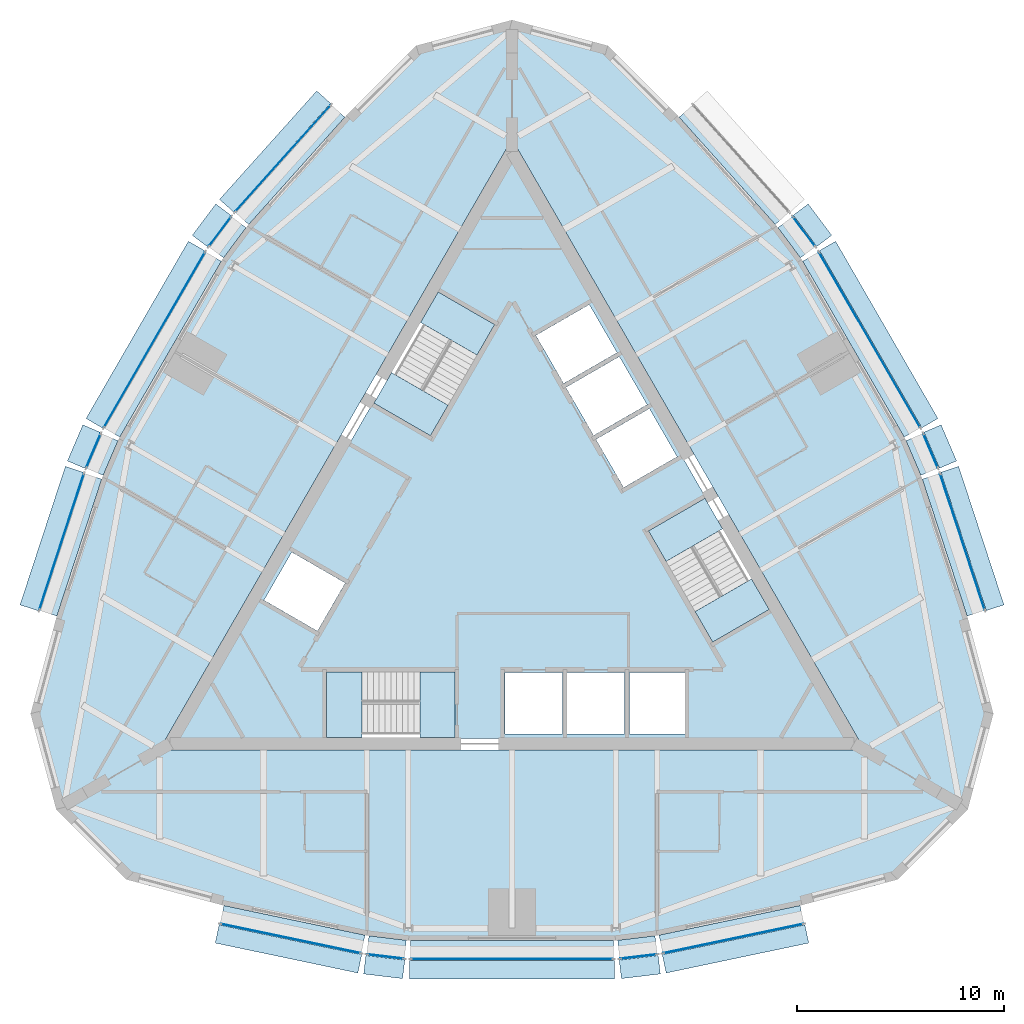
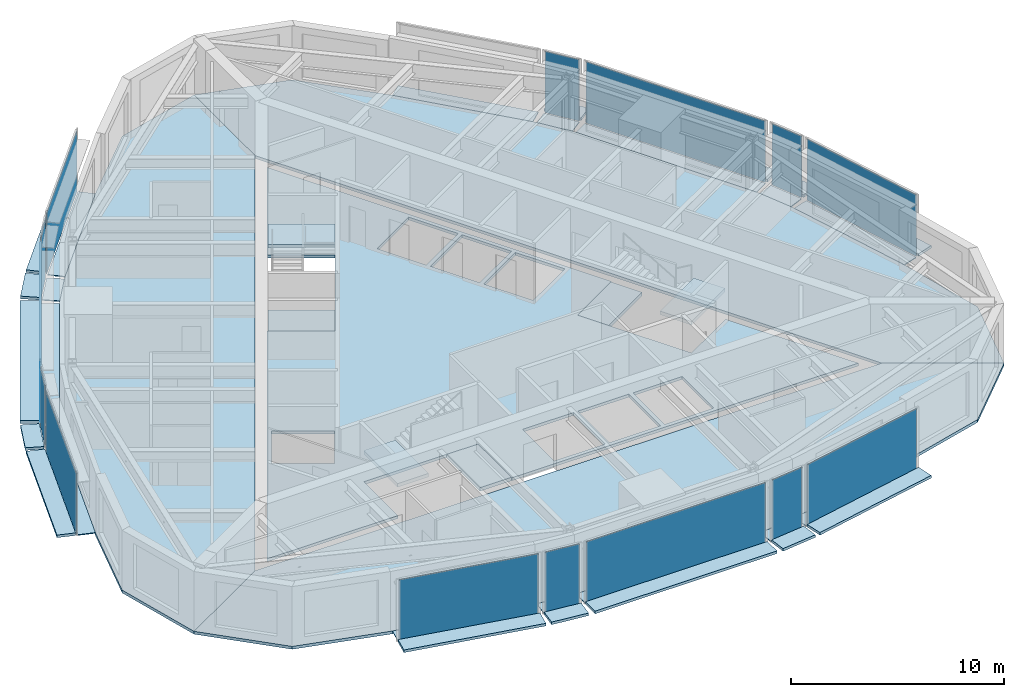
# One storey, part 6 of 12: 43 plates, 10 slabs, 17 elements without a shape of their own.
"""IFC4 building model written with IfcOpenShell, lengths in metres."""

from ifc_helpers import new_model, si_unit, direction, frame, origin, origin_2d, place, context, subcontext, project, spatial, polyline, rectangle, outline, extrude, material, layer, layer_set, type_object, element, aggregate, save


model = new_model("IFC4")

# Units and contexts
model_context = context("Model", 3, precision=1e-05, world=origin(), true_north=direction((0.0, 1.0)))
body_context = subcontext(model_context, "Body", "Model", "MODEL_VIEW")
ifc_project = project(units=[si_unit("LENGTHUNIT", "METRE"), si_unit("AREAUNIT", "SQUARE_METRE"), si_unit("VOLUMEUNIT", "CUBIC_METRE"), si_unit("PLANEANGLEUNIT", "RADIAN"), si_unit("MASSUNIT", "GRAM", prefix="KILO")], contexts=[model_context])

# Site, building, storey
site_placement = place(None, origin())
site = spatial("IfcSite", under=ifc_project, at=site_placement, CompositionType="ELEMENT")
building_placement = place(site_placement, origin())
building = spatial("IfcBuilding", under=site, at=building_placement, Name="Trikona Tower", CompositionType="ELEMENT")
storey_placement = place(building_placement, frame((0.0, 0.0, 253.699951171875)))
storey = spatial("IfcBuildingStorey", under=building, at=storey_placement, Name="L67", CompositionType="ELEMENT", Elevation=253.699951171875)

# Plates
ifc_material_1 = material(Name="Aluminium bar grating", Category="aluminium")
ifc_layer_1 = layer(ifc_material_1, 0.050048828125)
ifc_layer_set_1 = layer_set([ifc_layer_1], Name="Cavity catwalk grating")
plate_type_1 = type_object("IfcPlateType", Name="Cavity catwalk grating", PredefinedType="USERDEFINED", material=ifc_layer_set_1)
plate_1_placement = place(storey_placement, frame((-10.586181640625, -18.466552734375, -0.0498046875), z_axis=(0.0, 0.0, 1.0), x_axis=(0.97865342171, -0.205517590916, 0.0)))
element("IfcPlate", 1, at=plate_1_placement, inside=storey, type_object=plate_type_1, Name="Cavity catwalk L67-00", ObjectType="CATWALK GRATING", PredefinedType="USERDEFINED", context=body_context, shape_type="SweptSolid", body=[
    extrude(rectangle(XDim=6.95263671875, YDim=0.840087890625, at=origin_2d()), origin(), (0.0, 0.0, 1.0), 0.050048828125),
])
plate_2_placement = place(storey_placement, frame((-6.050048828125, -19.327392578125, -0.0498046875), z_axis=(0.0, 0.0, 1.0), x_axis=(0.992876783199, -0.11914568135, 0.0)))
element("IfcPlate", 2, at=plate_2_placement, inside=storey, type_object=plate_type_1, Name="Cavity catwalk L67-01", ObjectType="CATWALK GRATING", PredefinedType="USERDEFINED", context=body_context, shape_type="SweptSolid", body=[
    extrude(rectangle(XDim=1.814208984375, YDim=0.840087890625, at=origin_2d()), origin(), (0.0, 0.0, 1.0), 0.050048828125),
])
plate_3_placement = place(storey_placement, frame((0.0, -19.450439453125, -0.0498046875), z_axis=(0.0, 0.0, 1.0), x_axis=(1.0, 0.0, 0.0)))
element("IfcPlate", 3, at=plate_3_placement, inside=storey, type_object=plate_type_1, Name="Cavity catwalk L67-02", ObjectType="CATWALK GRATING", PredefinedType="USERDEFINED", context=body_context, shape_type="SweptSolid", body=[
    extrude(rectangle(XDim=9.800048828125, YDim=0.840087890625, at=origin_2d()), origin(), (0.0, 0.0, 1.0), 0.050048828125),
])
plate_4_placement = place(storey_placement, frame((6.050048828125, -19.327392578125, -0.0498046875), z_axis=(0.0, 0.0, 1.0), x_axis=(0.992876783199, 0.11914568135, 0.0)))
element("IfcPlate", 4, at=plate_4_placement, inside=storey, type_object=plate_type_1, Name="Cavity catwalk L67-03", ObjectType="CATWALK GRATING", PredefinedType="USERDEFINED", context=body_context, shape_type="SweptSolid", body=[
    extrude(rectangle(XDim=1.814208984375, YDim=0.840087890625, at=origin_2d()), origin(), (0.0, 0.0, 1.0), 0.050048828125),
])
for number, where, z_axis, x_axis, name in (
    (5, (10.586181640625, -18.466552734375, -0.0498046875), (0.0, 0.0, 1.0), (0.97865342171, 0.205517590916, 0.0), "Cavity catwalk L67-04"),
    (6, (21.28564453125, 0.065185546875, -0.0498046875), (0.0, 0.0, 1.0), (-0.311336621861, 0.950299693722, 0.0), "Cavity catwalk L67-09"),
):
    element("IfcPlate", number, at=place(storey_placement, frame(where, z_axis=z_axis, x_axis=x_axis)), inside=storey, type_object=plate_type_1, Name=name, ObjectType="CATWALK GRATING", PredefinedType="USERDEFINED", context=body_context, shape_type="SweptSolid", body=[
        extrude(rectangle(XDim=6.95263671875, YDim=0.840087890625, at=origin_2d()), origin(), (0.0, 0.0, 1.0), 0.050048828125),
    ])
plate_5_placement = place(storey_placement, frame((19.76318359375, 4.42431640625, -0.0498046875), z_axis=(0.0, 0.0, 1.0), x_axis=(-0.39328408933, 0.919417002823, 0.0)))
element("IfcPlate", 7, at=plate_5_placement, inside=storey, type_object=plate_type_1, Name="Cavity catwalk L67-10", ObjectType="CATWALK GRATING", PredefinedType="USERDEFINED", context=body_context, shape_type="SweptSolid", body=[
    extrude(rectangle(XDim=1.814208984375, YDim=0.840087890625, at=origin_2d()), origin(), (0.0, 0.0, 1.0), 0.050048828125),
])
plate_6_placement = place(storey_placement, frame((16.844482421875, 9.72509765625, -0.0498046875), z_axis=(0.0, 0.0, 1.0), x_axis=(-0.4999984885, 0.866026276448, 0.0)))
element("IfcPlate", 8, at=plate_6_placement, inside=storey, type_object=plate_type_1, Name="Cavity catwalk L67-11", ObjectType="CATWALK GRATING", PredefinedType="USERDEFINED", context=body_context, shape_type="SweptSolid", body=[
    extrude(rectangle(XDim=9.800048828125, YDim=0.840087890625, at=origin_2d()), origin(), (0.0, 0.0, 1.0), 0.050048828125),
])
plate_7_placement = place(storey_placement, frame((13.713134765625, 14.9033203125, -0.0498046875), z_axis=(0.0, 0.0, 1.0), x_axis=(-0.599618784879, 0.800285769472, 0.0)))
element("IfcPlate", 9, at=plate_7_placement, inside=storey, type_object=plate_type_1, Name="Cavity catwalk L67-12", ObjectType="CATWALK GRATING", PredefinedType="USERDEFINED", context=body_context, shape_type="SweptSolid", body=[
    extrude(rectangle(XDim=1.814208984375, YDim=0.840087890625, at=origin_2d()), origin(), (0.0, 0.0, 1.0), 0.050048828125),
])
for number, where, z_axis, x_axis, name in (
    (10, (10.699462890625, 18.4013671875, -0.0498046875), (0.0, 0.0, 1.0), (-0.667311465398, 0.744778764566, 0.0), "Cavity catwalk L67-13"),
    (11, (-10.699462890625, 18.4013671875, -0.0498046875), (0.0, 0.0, 1.0), (-0.667311465398, -0.744778764566, 0.0), "Cavity catwalk L67-18"),
):
    element("IfcPlate", number, at=place(storey_placement, frame(where, z_axis=z_axis, x_axis=x_axis)), inside=storey, type_object=plate_type_1, Name=name, ObjectType="CATWALK GRATING", PredefinedType="USERDEFINED", context=body_context, shape_type="SweptSolid", body=[
        extrude(rectangle(XDim=6.95263671875, YDim=0.840087890625, at=origin_2d()), origin(), (0.0, 0.0, 1.0), 0.050048828125),
    ])
plate_8_placement = place(storey_placement, frame((-13.713134765625, 14.9033203125, -0.0498046875), z_axis=(0.0, 0.0, 1.0), x_axis=(-0.599618784879, -0.800285769472, 0.0)))
element("IfcPlate", 12, at=plate_8_placement, inside=storey, type_object=plate_type_1, Name="Cavity catwalk L67-19", ObjectType="CATWALK GRATING", PredefinedType="USERDEFINED", context=body_context, shape_type="SweptSolid", body=[
    extrude(rectangle(XDim=1.814208984375, YDim=0.840087890625, at=origin_2d()), origin(), (0.0, 0.0, 1.0), 0.050048828125),
])
plate_9_placement = place(storey_placement, frame((-16.844482421875, 9.72509765625, -0.0498046875), z_axis=(0.0, 0.0, 1.0), x_axis=(-0.4999984885, -0.866026276448, 0.0)))
element("IfcPlate", 13, at=plate_9_placement, inside=storey, type_object=plate_type_1, Name="Cavity catwalk L67-20", ObjectType="CATWALK GRATING", PredefinedType="USERDEFINED", context=body_context, shape_type="SweptSolid", body=[
    extrude(rectangle(XDim=9.800048828125, YDim=0.840087890625, at=origin_2d()), origin(), (0.0, 0.0, 1.0), 0.050048828125),
])
plate_10_placement = place(storey_placement, frame((-19.76318359375, 4.42431640625, -0.0498046875), z_axis=(0.0, 0.0, 1.0), x_axis=(-0.39328408933, -0.919417002823, 0.0)))
element("IfcPlate", 14, at=plate_10_placement, inside=storey, type_object=plate_type_1, Name="Cavity catwalk L67-21", ObjectType="CATWALK GRATING", PredefinedType="USERDEFINED", context=body_context, shape_type="SweptSolid", body=[
    extrude(rectangle(XDim=1.814208984375, YDim=0.840087890625, at=origin_2d()), origin(), (0.0, 0.0, 1.0), 0.050048828125),
])
plate_11_placement = place(storey_placement, frame((-21.28564453125, 0.065185546875, -0.0498046875), z_axis=(0.0, 0.0, 1.0), x_axis=(-0.311336621861, -0.950299693722, 0.0)))
element("IfcPlate", 15, at=plate_11_placement, inside=storey, type_object=plate_type_1, Name="Cavity catwalk L67-22", ObjectType="CATWALK GRATING", PredefinedType="USERDEFINED", context=body_context, shape_type="SweptSolid", body=[
    extrude(rectangle(XDim=6.95263671875, YDim=0.840087890625, at=origin_2d()), origin(), (0.0, 0.0, 1.0), 0.050048828125),
])

# Slabs
ifc_material_2 = material(Name="Concrete f'c 5000 psi lightweight on composite steel deck", Category="concrete")
ifc_layer_2 = layer(ifc_material_2, 0.1650390625)
ifc_layer_set_2 = layer_set([ifc_layer_2], Name="Composite floor slab 165")
slab_type_1 = type_object("IfcSlabType", Name="Composite floor slab 165", PredefinedType="FLOOR", material=ifc_layer_set_2)
slab_1_placement = place(storey_placement, frame((0.0, 0.0, -0.1650390625)))
element("IfcSlab", 16, at=slab_1_placement, inside=storey, type_object=slab_type_1, Name="Floor slab L67 core", PredefinedType="FLOOR", context=body_context, shape_type="SweptSolid", body=[
    extrude(outline(polyline([(-16.06689453125, -9.2763671875), (-8.949951171875, -9.2763671875), (-8.949951171875, -6.076416015625), (-2.75, -6.076416015625), (-2.75, -9.2763671875), (16.06689453125, -9.2763671875), (12.45849609375, -3.026123046875), (9.687255859375, -4.626220703125), (6.587158203125, 0.7431640625), (9.3583984375, 2.34326171875), (0.0, 18.552490234375), (-3.6083984375, 12.302490234375), (-0.837158203125, 10.702392578125), (-3.937255859375, 5.3330078125), (-6.70849609375, 6.93310546875), (-16.06689453125, -9.2763671875)]), holes=[polyline([(5.659912109375, -6.086181640625), (5.659912109375, -9.06640625), (8.340087890625, -9.06640625), (8.340087890625, -6.086181640625), (5.659912109375, -6.086181640625)]), polyline([(6.631591796875, 6.646240234375), (4.05078125, 5.15625), (5.390869140625, 2.835205078125), (7.9716796875, 4.3251953125), (6.631591796875, 6.646240234375)]), polyline([(6.521484375, 6.8369140625), (5.181640625, 9.15771484375), (2.600830078125, 7.667724609375), (3.94091796875, 5.3466796875), (6.521484375, 6.8369140625)]), polyline([(2.659912109375, -9.06640625), (5.43994140625, -9.06640625), (5.43994140625, -6.086181640625), (2.659912109375, -6.086181640625), (2.659912109375, -9.06640625)]), polyline([(2.490966796875, 7.858154296875), (5.071533203125, 9.34814453125), (3.731689453125, 11.669189453125), (1.15087890625, 10.17919921875), (2.490966796875, 7.858154296875)]), polyline([(2.43994140625, -9.06640625), (2.43994140625, -6.086181640625), (-0.340087890625, -6.086181640625), (-0.340087890625, -9.06640625), (2.43994140625, -9.06640625)]), polyline([(-11.9716796875, -2.602783203125), (-9.390869140625, -4.093017578125), (-8.05078125, -1.77197265625), (-10.631591796875, -0.281982421875), (-11.9716796875, -2.602783203125)])]), origin(), (0.0, 0.0, 1.0), 0.1650390625),
])
slab_2_placement = place(storey_placement, frame((0.0, 0.0, -0.1650390625)))
element("IfcSlab", 17, at=slab_2_placement, inside=storey, type_object=slab_type_1, Name="Floor slab L67 south", PredefinedType="FLOOR", context=body_context, shape_type="SweptSolid", body=[
    extrude(outline(polyline([(18.618896484375, -16.0830078125), (22.0, -12.70166015625), (17.01953125, -9.826416015625), (-17.01953125, -9.826416015625), (-22.0, -12.70166015625), (-18.618896484375, -16.0830078125), (-14.0, -17.320556640625), (-7.0, -18.79052734375), (-5.0, -19.030517578125), (5.0, -19.030517578125), (7.0, -18.79052734375), (14.0, -17.320556640625), (18.618896484375, -16.0830078125)])), origin(), (0.0, 0.0, 1.0), 0.1650390625),
])
slab_3_placement = place(storey_placement, frame((0.0, 0.0, -0.1650390625)))
element("IfcSlab", 18, at=slab_3_placement, inside=storey, type_object=slab_type_1, Name="Floor slab L67 north-east", PredefinedType="FLOOR", context=body_context, shape_type="SweptSolid", body=[
    extrude(outline(polyline([(4.618896484375, 24.165771484375), (0.0, 25.4033203125), (0.0, 19.652587890625), (17.01953125, -9.826416015625), (22.0, -12.70166015625), (23.237548828125, -8.0830078125), (22.0, -3.464111328125), (19.773193359375, 3.3330078125), (18.98095703125, 5.18505859375), (13.98095703125, 13.845458984375), (12.773193359375, 15.45751953125), (8.0, 20.78466796875), (4.618896484375, 24.165771484375)])), origin(), (0.0, 0.0, 1.0), 0.1650390625),
])
slab_4_placement = place(storey_placement, frame((0.0, 0.0, -0.1650390625)))
element("IfcSlab", 19, at=slab_4_placement, inside=storey, type_object=slab_type_1, Name="Floor slab L67 north-west", PredefinedType="FLOOR", context=body_context, shape_type="SweptSolid", body=[
    extrude(outline(polyline([(0.0, 19.652587890625), (0.0, 25.4033203125), (-4.618896484375, 24.165771484375), (-8.0, 20.78466796875), (-12.773193359375, 15.45751953125), (-13.98095703125, 13.845458984375), (-18.98095703125, 5.18505859375), (-19.773193359375, 3.3330078125), (-22.0, -3.464111328125), (-23.237548828125, -8.0830078125), (-22.0, -12.70166015625), (-17.01953125, -9.826416015625), (0.0, 19.652587890625)])), origin(), (0.0, 0.0, 1.0), 0.1650390625),
])

# Curtain wall, plate
ifc_material_3 = material(Name="Aluminium curtain wall system", Category="aluminium")
curtain_wall_type = type_object("IfcCurtainWallType", Name="Curtain wall DS3", PredefinedType="NOTDEFINED", material=ifc_material_3)
curtain_wall_1_placement = place(storey_placement, origin())
curtain_wall_1 = element("IfcCurtainWall", 20, at=curtain_wall_1_placement, inside=storey, type_object=curtain_wall_type, Name="Curtain wall DS3 L67", PredefinedType="NOTDEFINED")
ifc_material_4 = material(Name="Laminated clear glass", Category="glass")
ifc_layer_3 = layer(ifc_material_4, 0.028076171875)
ifc_layer_set_3 = layer_set([ifc_layer_3], Name="Glass panel DS3")
plate_type_2 = type_object("IfcPlateType", Name="Glass panel DS3", PredefinedType="CURTAIN_PANEL", material=ifc_layer_set_3)
plate_12_placement = place(storey_placement, frame((-10.68505859375, -18.936279296875, 0.0), z_axis=(0.0, 0.0, 1.0), x_axis=(0.978651351583, -0.205527448396, 0.0)))
plate_12 = element("IfcPlate", 21, at=plate_12_placement, type_object=plate_type_2, Name="CW-DS3 panel 1.1", PredefinedType="CURTAIN_PANEL", context=body_context, shape_type="SweptSolid", body=[
    extrude(rectangle(XDim=6.892578125, YDim=0.028076171875, at=origin_2d()), origin(), (0.0, 0.0, 1.0), 3.530029296875),
])
aggregate(curtain_wall_1, [plate_12])

curtain_wall_2_placement = place(storey_placement, origin())
curtain_wall_2 = element("IfcCurtainWall", 22, at=curtain_wall_2_placement, inside=storey, type_object=curtain_wall_type, Name="Curtain wall DS3 L67", PredefinedType="NOTDEFINED")
plate_13_placement = place(storey_placement, frame((-6.107177734375, -19.803955078125, 0.0), z_axis=(0.0, 0.0, 1.0), x_axis=(0.992877338043, -0.119141057581, 0.0)))
plate_13 = element("IfcPlate", 23, at=plate_13_placement, type_object=plate_type_2, Name="CW-DS3 panel 1.1", PredefinedType="CURTAIN_PANEL", context=body_context, shape_type="SweptSolid", body=[
    extrude(rectangle(XDim=1.75439453125, YDim=0.028076171875, at=origin_2d()), origin(), (0.0, 0.0, 1.0), 3.530029296875),
])
aggregate(curtain_wall_2, [plate_13])

curtain_wall_3_placement = place(storey_placement, origin())
curtain_wall_3 = element("IfcCurtainWall", 24, at=curtain_wall_3_placement, inside=storey, type_object=curtain_wall_type, Name="Curtain wall DS3 L67", PredefinedType="NOTDEFINED")
plate_14_placement = place(storey_placement, frame((0.0, -19.930419921875, 0.0), z_axis=(0.0, 0.0, 1.0), x_axis=(1.0, 0.0, 0.0)))
plate_14 = element("IfcPlate", 25, at=plate_14_placement, type_object=plate_type_2, Name="CW-DS3 panel 1.1", PredefinedType="CURTAIN_PANEL", context=body_context, shape_type="SweptSolid", body=[
    extrude(rectangle(XDim=9.739990234375, YDim=0.028076171875, at=origin_2d()), origin(), (0.0, 0.0, 1.0), 3.530029296875),
])
aggregate(curtain_wall_3, [plate_14])

curtain_wall_4_placement = place(storey_placement, origin())
curtain_wall_4 = element("IfcCurtainWall", 26, at=curtain_wall_4_placement, inside=storey, type_object=curtain_wall_type, Name="Curtain wall DS3 L67", PredefinedType="NOTDEFINED")
plate_15_placement = place(storey_placement, frame((6.107177734375, -19.803955078125, 0.0), z_axis=(0.0, 0.0, 1.0), x_axis=(0.992877338043, 0.119141057581, 0.0)))
plate_15 = element("IfcPlate", 27, at=plate_15_placement, type_object=plate_type_2, Name="CW-DS3 panel 1.1", PredefinedType="CURTAIN_PANEL", context=body_context, shape_type="SweptSolid", body=[
    extrude(rectangle(XDim=1.75439453125, YDim=0.028076171875, at=origin_2d()), origin(), (0.0, 0.0, 1.0), 3.530029296875),
])
aggregate(curtain_wall_4, [plate_15])

curtain_wall_5_placement = place(storey_placement, origin())
curtain_wall_5 = element("IfcCurtainWall", 28, at=curtain_wall_5_placement, inside=storey, type_object=curtain_wall_type, Name="Curtain wall DS3 L67", PredefinedType="NOTDEFINED")
plate_16_placement = place(storey_placement, frame((10.68505859375, -18.936279296875, 0.0), z_axis=(0.0, 0.0, 1.0), x_axis=(0.978651351583, 0.205527448396, 0.0)))
plate_16 = element("IfcPlate", 29, at=plate_16_placement, type_object=plate_type_2, Name="CW-DS3 panel 1.1", PredefinedType="CURTAIN_PANEL", context=body_context, shape_type="SweptSolid", body=[
    extrude(rectangle(XDim=6.892578125, YDim=0.028076171875, at=origin_2d()), origin(), (0.0, 0.0, 1.0), 3.530029296875),
])
aggregate(curtain_wall_5, [plate_16])

curtain_wall_6_placement = place(storey_placement, origin())
curtain_wall_6 = element("IfcCurtainWall", 30, at=curtain_wall_6_placement, inside=storey, type_object=curtain_wall_type, Name="Curtain wall DS3 L67", PredefinedType="NOTDEFINED")
plate_17_placement = place(storey_placement, frame((21.74169921875, 0.214599609375, 0.0), z_axis=(0.0, 0.0, 1.0), x_axis=(-0.311343553515, 0.95029742275, 0.0)))
plate_17 = element("IfcPlate", 31, at=plate_17_placement, type_object=plate_type_2, Name="CW-DS3 panel 1.1", PredefinedType="CURTAIN_PANEL", context=body_context, shape_type="SweptSolid", body=[
    extrude(rectangle(XDim=6.892822265625, YDim=0.028076171875, at=origin_2d()), origin(), (0.0, 0.0, 1.0), 3.530029296875),
])
aggregate(curtain_wall_6, [plate_17])

curtain_wall_7_placement = place(storey_placement, origin())
curtain_wall_7 = element("IfcCurtainWall", 32, at=curtain_wall_7_placement, inside=storey, type_object=curtain_wall_type, Name="Curtain wall DS3 L67", PredefinedType="NOTDEFINED")
plate_18_placement = place(storey_placement, frame((20.20458984375, 4.613037109375, 0.0), z_axis=(0.0, 0.0, 1.0), x_axis=(-0.393275726143, 0.919420580163, 0.0)))
plate_18 = element("IfcPlate", 33, at=plate_18_placement, type_object=plate_type_2, Name="CW-DS3 panel 1.1", PredefinedType="CURTAIN_PANEL", context=body_context, shape_type="SweptSolid", body=[
    extrude(rectangle(XDim=1.75439453125, YDim=0.028076171875, at=origin_2d()), origin(), (0.0, 0.0, 1.0), 3.530029296875),
])
aggregate(curtain_wall_7, [plate_18])

curtain_wall_8_placement = place(storey_placement, origin())
curtain_wall_8 = element("IfcCurtainWall", 34, at=curtain_wall_8_placement, inside=storey, type_object=curtain_wall_type, Name="Curtain wall DS3 L67", PredefinedType="NOTDEFINED")
plate_19_placement = place(storey_placement, frame((17.26025390625, 9.96533203125, 0.0), z_axis=(0.0, 0.0, 1.0), x_axis=(-0.500001358187, 0.866024619633, 0.0)))
plate_19 = element("IfcPlate", 35, at=plate_19_placement, type_object=plate_type_2, Name="CW-DS3 panel 1.1", PredefinedType="CURTAIN_PANEL", context=body_context, shape_type="SweptSolid", body=[
    extrude(rectangle(XDim=9.739990234375, YDim=0.028076171875, at=origin_2d()), origin(), (0.0, 0.0, 1.0), 3.530029296875),
])
aggregate(curtain_wall_8, [plate_19])

curtain_wall_9_placement = place(storey_placement, origin())
curtain_wall_9 = element("IfcCurtainWall", 36, at=curtain_wall_9_placement, inside=storey, type_object=curtain_wall_type, Name="Curtain wall DS3 L67", PredefinedType="NOTDEFINED")
plate_20_placement = place(storey_placement, frame((14.09716796875, 15.191162109375, 0.0), z_axis=(0.0, 0.0, 1.0), x_axis=(-0.599653634435, 0.800259657055, 0.0)))
plate_20 = element("IfcPlate", 37, at=plate_20_placement, type_object=plate_type_2, Name="CW-DS3 panel 1.1", PredefinedType="CURTAIN_PANEL", context=body_context, shape_type="SweptSolid", body=[
    extrude(rectangle(XDim=1.754150390625, YDim=0.028076171875, at=origin_2d()), origin(), (0.0, 0.0, 1.0), 3.530029296875),
])
aggregate(curtain_wall_9, [plate_20])

curtain_wall_10_placement = place(storey_placement, origin())
curtain_wall_10 = element("IfcCurtainWall", 38, at=curtain_wall_10_placement, inside=storey, type_object=curtain_wall_type, Name="Curtain wall DS3 L67", PredefinedType="NOTDEFINED")
plate_21_placement = place(storey_placement, frame((-11.056884765625, 18.7216796875, 0.0), z_axis=(0.0, 0.0, 1.0), x_axis=(-0.667319643748, -0.744771436797, 0.0)))
plate_21 = element("IfcPlate", 39, at=plate_21_placement, type_object=plate_type_2, Name="CW-DS3 panel 1.1", PredefinedType="CURTAIN_PANEL", context=body_context, shape_type="SweptSolid", body=[
    extrude(rectangle(XDim=6.892822265625, YDim=0.028076171875, at=origin_2d()), origin(), (0.0, 0.0, 1.0), 3.530029296875),
])
aggregate(curtain_wall_10, [plate_21])

curtain_wall_11_placement = place(storey_placement, origin())
curtain_wall_11 = element("IfcCurtainWall", 40, at=curtain_wall_11_placement, inside=storey, type_object=curtain_wall_type, Name="Curtain wall DS3 L67", PredefinedType="NOTDEFINED")
plate_22_placement = place(storey_placement, frame((-14.09716796875, 15.191162109375, 0.0), z_axis=(0.0, 0.0, 1.0), x_axis=(-0.599653634435, -0.800259657055, 0.0)))
plate_22 = element("IfcPlate", 41, at=plate_22_placement, type_object=plate_type_2, Name="CW-DS3 panel 1.1", PredefinedType="CURTAIN_PANEL", context=body_context, shape_type="SweptSolid", body=[
    extrude(rectangle(XDim=1.754150390625, YDim=0.028076171875, at=origin_2d()), origin(), (0.0, 0.0, 1.0), 3.530029296875),
])
aggregate(curtain_wall_11, [plate_22])

curtain_wall_12_placement = place(storey_placement, origin())
curtain_wall_12 = element("IfcCurtainWall", 42, at=curtain_wall_12_placement, inside=storey, type_object=curtain_wall_type, Name="Curtain wall DS3 L67", PredefinedType="NOTDEFINED")
plate_23_placement = place(storey_placement, frame((-17.26025390625, 9.96533203125, 0.0), z_axis=(0.0, 0.0, 1.0), x_axis=(-0.500001358187, -0.866024619633, 0.0)))
plate_23 = element("IfcPlate", 43, at=plate_23_placement, type_object=plate_type_2, Name="CW-DS3 panel 1.1", PredefinedType="CURTAIN_PANEL", context=body_context, shape_type="SweptSolid", body=[
    extrude(rectangle(XDim=9.739990234375, YDim=0.028076171875, at=origin_2d()), origin(), (0.0, 0.0, 1.0), 3.530029296875),
])
aggregate(curtain_wall_12, [plate_23])

curtain_wall_13_placement = place(storey_placement, origin())
curtain_wall_13 = element("IfcCurtainWall", 44, at=curtain_wall_13_placement, inside=storey, type_object=curtain_wall_type, Name="Curtain wall DS3 L67", PredefinedType="NOTDEFINED")
plate_24_placement = place(storey_placement, frame((-20.20458984375, 4.613037109375, 0.0), z_axis=(0.0, 0.0, 1.0), x_axis=(-0.393275726143, -0.919420580163, 0.0)))
plate_24 = element("IfcPlate", 45, at=plate_24_placement, type_object=plate_type_2, Name="CW-DS3 panel 1.1", PredefinedType="CURTAIN_PANEL", context=body_context, shape_type="SweptSolid", body=[
    extrude(rectangle(XDim=1.75439453125, YDim=0.028076171875, at=origin_2d()), origin(), (0.0, 0.0, 1.0), 3.530029296875),
])
aggregate(curtain_wall_13, [plate_24])

curtain_wall_14_placement = place(storey_placement, origin())
curtain_wall_14 = element("IfcCurtainWall", 46, at=curtain_wall_14_placement, inside=storey, type_object=curtain_wall_type, Name="Curtain wall DS3 L67", PredefinedType="NOTDEFINED")
plate_25_placement = place(storey_placement, frame((-21.74169921875, 0.214599609375, 0.0), z_axis=(0.0, 0.0, 1.0), x_axis=(-0.311343553515, -0.95029742275, 0.0)))
plate_25 = element("IfcPlate", 47, at=plate_25_placement, type_object=plate_type_2, Name="CW-DS3 panel 1.1", PredefinedType="CURTAIN_PANEL", context=body_context, shape_type="SweptSolid", body=[
    extrude(rectangle(XDim=6.892822265625, YDim=0.028076171875, at=origin_2d()), origin(), (0.0, 0.0, 1.0), 3.530029296875),
])
aggregate(curtain_wall_14, [plate_25])

# Plates
ifc_material_5 = material(Name="Aluminium plate fin, pale anodised, on stainless steel outriggers", Category="steel")
ifc_layer_4 = layer(ifc_material_5, 0.14990234375)
ifc_layer_set_4 = layer_set([ifc_layer_4], Name="Outer skin fin 900")
plate_type_3 = type_object("IfcPlateType", Name="Outer skin fin 900", PredefinedType="USERDEFINED", material=ifc_layer_set_4)
plate_26_placement = place(storey_placement, frame((-10.789794921875, -19.435302734375, 0.0), z_axis=(0.0, 0.0, 1.0), x_axis=(0.97865342171, -0.205517590916, 0.0)))
element("IfcPlate", 48, at=plate_26_placement, inside=storey, type_object=plate_type_3, Name="Outer skin fin L67-00", ObjectType="FIN", PredefinedType="USERDEFINED", context=body_context, shape_type="SweptSolid", body=[
    extrude(rectangle(XDim=7.03271484375, YDim=0.89990234375, at=origin_2d()), origin(), (0.0, 0.0, 1.0), 0.14990234375),
])
plate_27_placement = place(storey_placement, frame((-6.16796875, -20.310546875, 0.0), z_axis=(0.0, 0.0, 1.0), x_axis=(0.992876783199, -0.11914568135, 0.0)))
element("IfcPlate", 49, at=plate_27_placement, inside=storey, type_object=plate_type_3, Name="Outer skin fin L67-01", ObjectType="FIN", PredefinedType="USERDEFINED", context=body_context, shape_type="SweptSolid", body=[
    extrude(rectangle(XDim=1.894287109375, YDim=0.89990234375, at=origin_2d()), origin(), (0.0, 0.0, 1.0), 0.14990234375),
])
plate_28_placement = place(storey_placement, frame((0.0, -20.4404296875, 0.0), z_axis=(0.0, 0.0, 1.0), x_axis=(1.0, 0.0, 0.0)))
element("IfcPlate", 50, at=plate_28_placement, inside=storey, type_object=plate_type_3, Name="Outer skin fin L67-02", ObjectType="FIN", PredefinedType="USERDEFINED", context=body_context, shape_type="SweptSolid", body=[
    extrude(rectangle(XDim=9.8798828125, YDim=0.89990234375, at=origin_2d()), origin(), (0.0, 0.0, 1.0), 0.14990234375),
])
plate_29_placement = place(storey_placement, frame((6.16796875, -20.310546875, 0.0), z_axis=(0.0, 0.0, 1.0), x_axis=(0.992876783199, 0.11914568135, 0.0)))
element("IfcPlate", 51, at=plate_29_placement, inside=storey, type_object=plate_type_3, Name="Outer skin fin L67-03", ObjectType="FIN", PredefinedType="USERDEFINED", context=body_context, shape_type="SweptSolid", body=[
    extrude(rectangle(XDim=1.894287109375, YDim=0.89990234375, at=origin_2d()), origin(), (0.0, 0.0, 1.0), 0.14990234375),
])
for number, where, z_axis, x_axis, name in (
    (52, (10.789794921875, -19.435302734375, 0.0), (0.0, 0.0, 1.0), (0.97865342171, 0.205517590916, 0.0), "Outer skin fin L67-04"),
    (53, (22.2265625, 0.37353515625, 0.0), (0.0, 0.0, 1.0), (-0.311336621861, 0.950299693722, 0.0), "Outer skin fin L67-09"),
):
    element("IfcPlate", number, at=place(storey_placement, frame(where, z_axis=z_axis, x_axis=x_axis)), inside=storey, type_object=plate_type_3, Name=name, ObjectType="FIN", PredefinedType="USERDEFINED", context=body_context, shape_type="SweptSolid", body=[
        extrude(rectangle(XDim=7.03271484375, YDim=0.89990234375, at=origin_2d()), origin(), (0.0, 0.0, 1.0), 0.14990234375),
    ])
plate_30_placement = place(storey_placement, frame((20.67333984375, 4.813720703125, 0.0), z_axis=(0.0, 0.0, 1.0), x_axis=(-0.39328408933, 0.919417002823, 0.0)))
element("IfcPlate", 54, at=plate_30_placement, inside=storey, type_object=plate_type_3, Name="Outer skin fin L67-10", ObjectType="FIN", PredefinedType="USERDEFINED", context=body_context, shape_type="SweptSolid", body=[
    extrude(rectangle(XDim=1.894287109375, YDim=0.89990234375, at=origin_2d()), origin(), (0.0, 0.0, 1.0), 0.14990234375),
])
plate_31_placement = place(storey_placement, frame((17.701904296875, 10.22021484375, 0.0), z_axis=(0.0, 0.0, 1.0), x_axis=(-0.4999984885, 0.866026276448, 0.0)))
element("IfcPlate", 55, at=plate_31_placement, inside=storey, type_object=plate_type_3, Name="Outer skin fin L67-11", ObjectType="FIN", PredefinedType="USERDEFINED", context=body_context, shape_type="SweptSolid", body=[
    extrude(rectangle(XDim=9.8798828125, YDim=0.89990234375, at=origin_2d()), origin(), (0.0, 0.0, 1.0), 0.14990234375),
])
plate_32_placement = place(storey_placement, frame((14.50537109375, 15.496826171875, 0.0), z_axis=(0.0, 0.0, 1.0), x_axis=(-0.599618784879, 0.800285769472, 0.0)))
element("IfcPlate", 56, at=plate_32_placement, inside=storey, type_object=plate_type_3, Name="Outer skin fin L67-12", ObjectType="FIN", PredefinedType="USERDEFINED", context=body_context, shape_type="SweptSolid", body=[
    extrude(rectangle(XDim=1.894287109375, YDim=0.89990234375, at=origin_2d()), origin(), (0.0, 0.0, 1.0), 0.14990234375),
])
plate_33_placement = place(storey_placement, frame((-11.436767578125, 19.06201171875, 0.0), z_axis=(0.0, 0.0, 1.0), x_axis=(-0.667311465398, -0.744778764566, 0.0)))
element("IfcPlate", 57, at=plate_33_placement, inside=storey, type_object=plate_type_3, Name="Outer skin fin L67-18", ObjectType="FIN", PredefinedType="USERDEFINED", context=body_context, shape_type="SweptSolid", body=[
    extrude(rectangle(XDim=7.03271484375, YDim=0.89990234375, at=origin_2d()), origin(), (0.0, 0.0, 1.0), 0.14990234375),
])
plate_34_placement = place(storey_placement, frame((-14.50537109375, 15.496826171875, 0.0), z_axis=(0.0, 0.0, 1.0), x_axis=(-0.599618784879, -0.800285769472, 0.0)))
element("IfcPlate", 58, at=plate_34_placement, inside=storey, type_object=plate_type_3, Name="Outer skin fin L67-19", ObjectType="FIN", PredefinedType="USERDEFINED", context=body_context, shape_type="SweptSolid", body=[
    extrude(rectangle(XDim=1.894287109375, YDim=0.89990234375, at=origin_2d()), origin(), (0.0, 0.0, 1.0), 0.14990234375),
])
plate_35_placement = place(storey_placement, frame((-17.701904296875, 10.22021484375, 0.0), z_axis=(0.0, 0.0, 1.0), x_axis=(-0.4999984885, -0.866026276448, 0.0)))
element("IfcPlate", 59, at=plate_35_placement, inside=storey, type_object=plate_type_3, Name="Outer skin fin L67-20", ObjectType="FIN", PredefinedType="USERDEFINED", context=body_context, shape_type="SweptSolid", body=[
    extrude(rectangle(XDim=9.8798828125, YDim=0.89990234375, at=origin_2d()), origin(), (0.0, 0.0, 1.0), 0.14990234375),
])
plate_36_placement = place(storey_placement, frame((-20.67333984375, 4.813720703125, 0.0), z_axis=(0.0, 0.0, 1.0), x_axis=(-0.39328408933, -0.919417002823, 0.0)))
element("IfcPlate", 60, at=plate_36_placement, inside=storey, type_object=plate_type_3, Name="Outer skin fin L67-21", ObjectType="FIN", PredefinedType="USERDEFINED", context=body_context, shape_type="SweptSolid", body=[
    extrude(rectangle(XDim=1.894287109375, YDim=0.89990234375, at=origin_2d()), origin(), (0.0, 0.0, 1.0), 0.14990234375),
])
plate_37_placement = place(storey_placement, frame((-22.2265625, 0.37353515625, 0.0), z_axis=(0.0, 0.0, 1.0), x_axis=(-0.311336621861, -0.950299693722, 0.0)))
element("IfcPlate", 61, at=plate_37_placement, inside=storey, type_object=plate_type_3, Name="Outer skin fin L67-22", ObjectType="FIN", PredefinedType="USERDEFINED", context=body_context, shape_type="SweptSolid", body=[
    extrude(rectangle(XDim=7.03271484375, YDim=0.89990234375, at=origin_2d()), origin(), (0.0, 0.0, 1.0), 0.14990234375),
])

# Stair, slabs
ifc_material_6 = material(Name="Concrete f'c 5000 psi", Category="concrete")
stair_type = type_object("IfcStairType", Name="Core stair", PredefinedType="HALF_TURN_STAIR", material=ifc_material_6)
stair_1_placement = place(storey_placement, origin())
stair_1 = element("IfcStair", 62, at=stair_1_placement, inside=storey, type_object=stair_type, Name="Stair A L67", PredefinedType="HALF_TURN_STAIR")
ifc_material_7 = material(Name="Concrete f'c 5000 psi", Category="concrete")
ifc_layer_5 = layer(ifc_material_7, 0.199951171875)
ifc_layer_set_5 = layer_set([ifc_layer_5], Name="Stair landing 200")
slab_type_2 = type_object("IfcSlabType", Name="Stair landing 200", PredefinedType="LANDING", material=ifc_layer_set_5)
slab_5_placement = place(storey_placement, frame((0.0, 0.0, -0.199951171875)))
slab_5 = element("IfcSlab", 63, at=slab_5_placement, type_object=slab_type_2, Name="ST-A landing 1", PredefinedType="LANDING", context=body_context, shape_type="SweptSolid", body=[
    extrude(outline(polyline([(-4.452880859375, -6.076416015625), (-2.75, -6.076416015625), (-2.75, -9.226318359375), (-4.452880859375, -9.226318359375), (-4.452880859375, -6.076416015625)])), origin(), (0.0, 0.0, 1.0), 0.199951171875),
])
slab_6_placement = place(storey_placement, frame((0.0, 0.0, 1.60009765625)))
slab_6 = element("IfcSlab", 64, at=slab_6_placement, type_object=slab_type_2, Name="ST-A landing 2", PredefinedType="LANDING", context=body_context, shape_type="SweptSolid", body=[
    extrude(outline(polyline([(-8.949951171875, -6.076416015625), (-7.2470703125, -6.076416015625), (-7.2470703125, -9.226318359375), (-8.949951171875, -9.226318359375), (-8.949951171875, -6.076416015625)])), origin(), (0.0, 0.0, 1.0), 0.199951171875),
])
aggregate(stair_1, [slab_5, slab_6])

stair_2_placement = place(storey_placement, origin())
stair_2 = element("IfcStair", 65, at=stair_2_placement, inside=storey, type_object=stair_type, Name="Stair B L67", PredefinedType="HALF_TURN_STAIR")
slab_7_placement = place(storey_placement, frame((0.0, 0.0, -0.199951171875)))
slab_7 = element("IfcSlab", 66, at=slab_7_placement, type_object=slab_type_2, Name="ST-B landing 1", PredefinedType="LANDING", context=body_context, shape_type="SweptSolid", body=[
    extrude(outline(polyline([(7.438720703125, -0.731689453125), (6.587158203125, 0.7431640625), (9.315185546875, 2.318115234375), (10.166748046875, 0.84326171875), (7.438720703125, -0.731689453125)])), origin(), (0.0, 0.0, 1.0), 0.199951171875),
])
slab_8_placement = place(storey_placement, frame((0.0, 0.0, 1.60009765625)))
slab_8 = element("IfcSlab", 67, at=slab_8_placement, type_object=slab_type_2, Name="ST-B landing 2", PredefinedType="LANDING", context=body_context, shape_type="SweptSolid", body=[
    extrude(outline(polyline([(9.687255859375, -4.626220703125), (8.835693359375, -3.1513671875), (11.563720703125, -1.576416015625), (12.415283203125, -3.05126953125), (9.687255859375, -4.626220703125)])), origin(), (0.0, 0.0, 1.0), 0.199951171875),
])
aggregate(stair_2, [slab_7, slab_8])

stair_3_placement = place(storey_placement, origin())
stair_3 = element("IfcStair", 68, at=stair_3_placement, inside=storey, type_object=stair_type, Name="Stair C L67", PredefinedType="HALF_TURN_STAIR")
slab_9_placement = place(storey_placement, frame((0.0, 0.0, -0.199951171875)))
slab_9 = element("IfcSlab", 69, at=slab_9_placement, type_object=slab_type_2, Name="ST-C landing 1", PredefinedType="LANDING", context=body_context, shape_type="SweptSolid", body=[
    extrude(outline(polyline([(-3.085693359375, 6.807861328125), (-3.937255859375, 5.3330078125), (-6.665283203125, 6.908203125), (-5.813720703125, 8.3828125), (-3.085693359375, 6.807861328125)])), origin(), (0.0, 0.0, 1.0), 0.199951171875),
])
slab_10_placement = place(storey_placement, frame((0.0, 0.0, 1.60009765625)))
slab_10 = element("IfcSlab", 70, at=slab_10_placement, type_object=slab_type_2, Name="ST-C landing 2", PredefinedType="LANDING", context=body_context, shape_type="SweptSolid", body=[
    extrude(outline(polyline([(-0.837158203125, 10.702392578125), (-1.688720703125, 9.2275390625), (-4.416748046875, 10.802490234375), (-3.565185546875, 12.277587890625), (-0.837158203125, 10.702392578125)])), origin(), (0.0, 0.0, 1.0), 0.199951171875),
])
aggregate(stair_3, [slab_9, slab_10])

save(model, "model.ifc")
